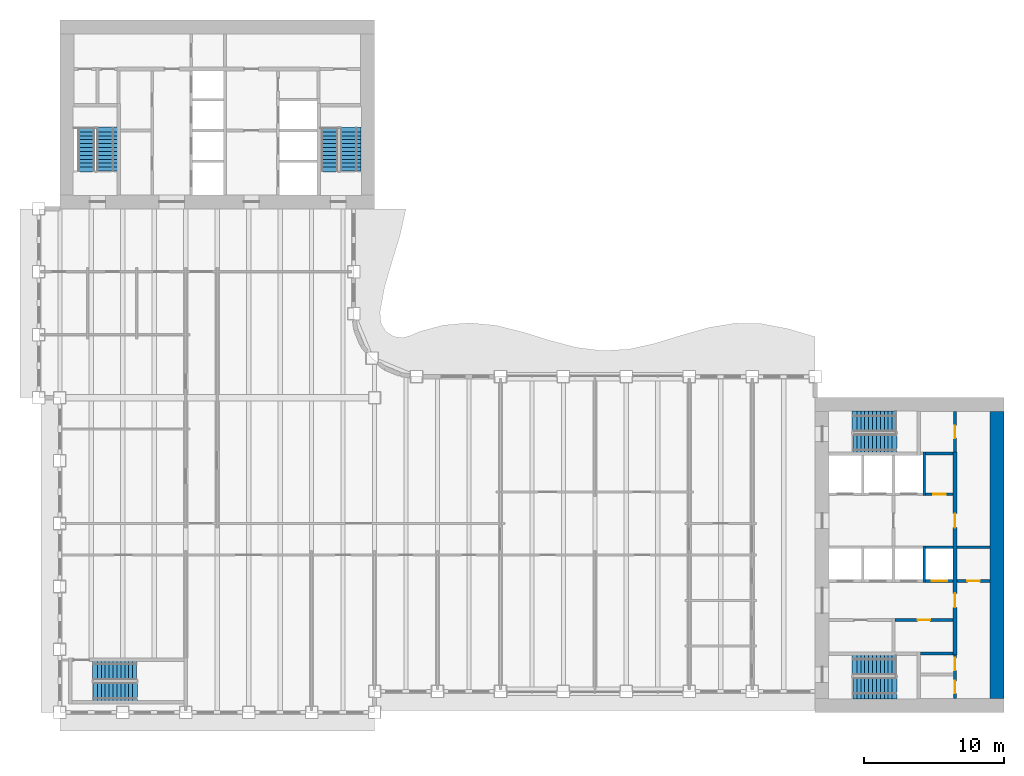
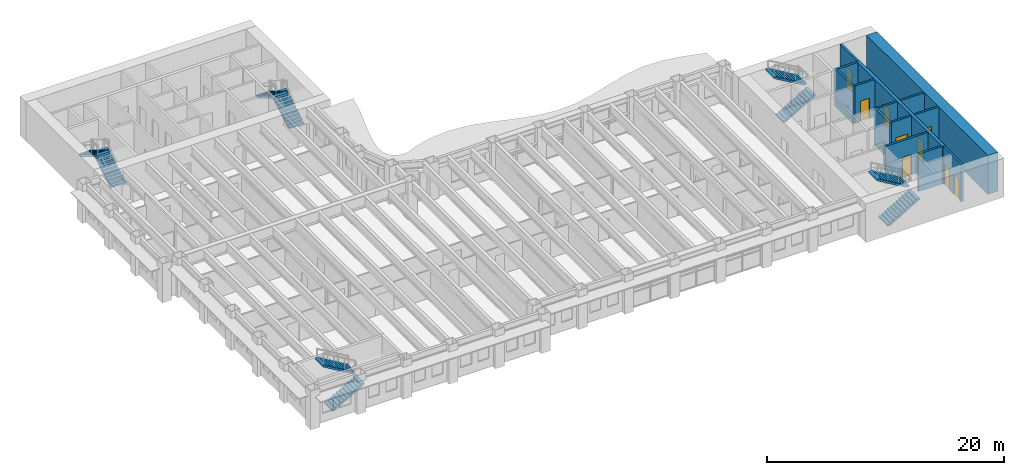
# One storey, part 11 of 17: 14 walls, 10 stair flights, 9 doors, 9 openings, 5 elements without a shape of their own.
"""IFC4 building model written with IfcOpenShell, lengths in metres."""

from ifc_helpers import new_model, si_unit, direction, frame, frame_2d, origin, place, context, subcontext, project, spatial, polyline, rectangle, outline, extrude, material, layer, layer_set, type_object, element, fill, aggregate, save


model = new_model("IFC4")

# Units and contexts
model_context = context("Model", 3, precision=1e-05, world=origin(), true_north=direction((0.0, 1.0)))
body_context = subcontext(model_context, "Body", "Model", "MODEL_VIEW")
ifc_project = project(units=[si_unit("LENGTHUNIT", "METRE"), si_unit("AREAUNIT", "SQUARE_METRE"), si_unit("VOLUMEUNIT", "CUBIC_METRE"), si_unit("PLANEANGLEUNIT", "RADIAN"), si_unit("MASSUNIT", "GRAM", prefix="KILO")], contexts=[model_context])

# Site, building, storey
site_placement = place(None, origin())
site = spatial("IfcSite", under=ifc_project, at=site_placement, CompositionType="ELEMENT")
building_placement = place(site_placement, origin())
building = spatial("IfcBuilding", under=site, at=building_placement, Name="Sennacour Bend Tower", CompositionType="ELEMENT")
storey_placement = place(building_placement, frame((0.0, 0.0, 155.0)))
storey = spatial("IfcBuildingStorey", under=building, at=storey_placement, Name="L35", CompositionType="ELEMENT", Elevation=155.0)

# Wall
ifc_material_1 = material(Name="Concrete C60/75", Category="concrete")
ifc_layer_1 = layer(ifc_material_1, 1.0, Name="Concrete C60/75", Category="concrete")
ifc_layer_set_1 = layer_set([ifc_layer_1], Name="Concrete C60/75")
wall_type_1 = type_object("IfcWallType", Name="Core wall 1000 C60/75", PredefinedType="SHEAR", material=ifc_layer_set_1)
wall_1_placement = place(storey_placement, frame((67.0, 1.0, -0.14990234375), z_axis=(0.0, 0.0, 1.0), x_axis=(0.0, 1.0, 0.0)))
element("IfcWall", 1, at=wall_1_placement, inside=storey, type_object=wall_type_1, Name="Core A wall L35 E", PredefinedType="SHEAR", context=body_context, shape_type="SweptSolid", body=[
    extrude(rectangle(XDim=20.5, YDim=1.0, at=frame_2d((10.25, 0.0))), origin(), (0.0, 0.0, 1.0), 4.0),
])

# Wall, openings, doors
ifc_material_2 = material(Name="Fire-rated plasterboard partition on steel studs", Category="steel")
ifc_layer_2 = layer(ifc_material_2, 0.199951171875, Name="Fire-rated plasterboard partition on steel studs", Category="steel")
ifc_layer_set_2 = layer_set([ifc_layer_2], Name="Fire-rated plasterboard partition on steel studs")
wall_type_2 = type_object("IfcWallType", Name="Rated partition 200", PredefinedType="PARTITIONING", material=ifc_layer_set_2)
wall_2_placement = place(storey_placement, frame((64.0, 1.0, 0.0), z_axis=(0.0, 0.0, 1.0), x_axis=(0.0, 1.0, 0.0)))
wall_2 = element("IfcWall", 2, at=wall_2_placement, inside=storey, type_object=wall_type_2, Name="P-L35-W044", PredefinedType="PARTITIONING", context=body_context, shape_type="SweptSolid", body=[
    extrude(rectangle(XDim=3.10009765625, YDim=0.199951171875, at=frame_2d((1.550048828125, 0.0))), origin(), (0.0, 0.0, 1.0), 3.85009765625),
])
opening_1_placement = place(wall_2_placement, frame((0.35009765625, 0.0, 0.0)))
opening_1 = element("IfcOpeningElement", 3, at=opening_1_placement, cuts=wall_2, Name="Opening SV", PredefinedType="OPENING", context=body_context, shape_type="SweptSolid", body=[
    extrude(rectangle(XDim=0.89990234375, YDim=2.10009765625, at=frame_2d((0.449951171875, 1.050048828125))), frame((0.0, 0.10986328125, 0.0), z_axis=(0.0, -1.0, 0.0), x_axis=(1.0, 0.0, 0.0)), (0.0, 0.0, 1.0), 0.219970703125),
])
opening_2_placement = place(wall_2_placement, frame((2.0, 0.0, 0.0)))
opening_2 = element("IfcOpeningElement", 4, at=opening_2_placement, cuts=wall_2, Name="Opening SV", PredefinedType="OPENING", context=body_context, shape_type="SweptSolid", body=[
    extrude(rectangle(XDim=0.89990234375, YDim=2.10009765625, at=frame_2d((0.449951171875, 1.050048828125))), frame((0.0, 0.10986328125, 0.0), z_axis=(0.0, -1.0, 0.0), x_axis=(1.0, 0.0, 0.0)), (0.0, 0.0, 1.0), 0.219970703125),
])
ifc_material_3 = material(Name="Painted steel", Category="steel")
door_type_1 = type_object("IfcDoorType", Name="DR-SERVICE-900", OperationType="NOTDEFINED", PredefinedType="DOOR", material=ifc_material_3)
door_1_placement = place(opening_1_placement, origin())
door_1 = element("IfcDoor", 5, at=door_1_placement, inside=storey, type_object=door_type_1, Name="Door", OperationType="SINGLE_SWING_LEFT", OverallHeight=2.10009765625, OverallWidth=0.89990234375, PredefinedType="DOOR", context=body_context, shape_type="SweptSolid", body=[
    extrude(rectangle(XDim=0.89990234375, YDim=2.10009765625, at=frame_2d((0.449951171875, 1.050048828125))), frame((0.0, 0.02490234375, 0.0), z_axis=(0.0, -1.0, 0.0), x_axis=(1.0, 0.0, 0.0)), (0.0, 0.0, 1.0), 0.050048828125),
])
fill(opening_1, door_1)
door_2_placement = place(opening_2_placement, origin())
door_2 = element("IfcDoor", 6, at=door_2_placement, inside=storey, type_object=door_type_1, Name="Door", OperationType="SINGLE_SWING_RIGHT", OverallHeight=2.10009765625, OverallWidth=0.89990234375, PredefinedType="DOOR", context=body_context, shape_type="SweptSolid", body=[
    extrude(rectangle(XDim=0.89990234375, YDim=2.10009765625, at=frame_2d((0.449951171875, 1.050048828125))), frame((0.0, 0.02490234375, 0.0), z_axis=(0.0, -1.0, 0.0), x_axis=(1.0, 0.0, 0.0)), (0.0, 0.0, 1.0), 0.050048828125),
])
fill(opening_2, door_2)

# Wall, opening, door
wall_3_placement = place(storey_placement, frame((64.0, 18.60009765625, 0.0), z_axis=(0.0, 0.0, 1.0), x_axis=(0.0, 1.0, 0.0)))
wall_3 = element("IfcWall", 7, at=wall_3_placement, inside=storey, type_object=wall_type_2, Name="P-L35-W046", PredefinedType="PARTITIONING", context=body_context, shape_type="SweptSolid", body=[
    extrude(rectangle(XDim=2.89990234375, YDim=0.199951171875, at=frame_2d((1.449951171875, 0.0))), origin(), (0.0, 0.0, 1.0), 3.85009765625),
])
opening_3_placement = place(wall_3_placement, frame((1.0, 0.0, 0.0)))
opening_3 = element("IfcOpeningElement", 8, at=opening_3_placement, cuts=wall_3, Name="Opening WD", PredefinedType="OPENING", context=body_context, shape_type="SweptSolid", body=[
    extrude(rectangle(XDim=0.89990234375, YDim=2.10009765625, at=frame_2d((0.449951171875, 1.050048828125))), frame((0.0, 0.10986328125, 0.0), z_axis=(0.0, -1.0, 0.0), x_axis=(1.0, 0.0, 0.0)), (0.0, 0.0, 1.0), 0.219970703125),
])
ifc_material_4 = material(Name="Timber", Category="wood")
door_type_2 = type_object("IfcDoorType", Name="DR-WC-900", OperationType="NOTDEFINED", PredefinedType="DOOR", material=ifc_material_4)
door_3_placement = place(opening_3_placement, origin())
door_3 = element("IfcDoor", 9, at=door_3_placement, inside=storey, type_object=door_type_2, Name="Door", OperationType="SINGLE_SWING_LEFT", OverallHeight=2.10009765625, OverallWidth=0.89990234375, PredefinedType="DOOR", context=body_context, shape_type="SweptSolid", body=[
    extrude(rectangle(XDim=0.89990234375, YDim=2.10009765625, at=frame_2d((0.449951171875, 1.050048828125))), frame((0.0, 0.02490234375, 0.0), z_axis=(0.0, -1.0, 0.0), x_axis=(1.0, 0.0, 0.0)), (0.0, 0.0, 1.0), 0.050048828125),
])
fill(opening_3, door_3)

# Wall
wall_4_placement = place(storey_placement, frame((61.52490234375, 4.199951171875, 0.0), z_axis=(0.0, 0.0, 1.0), x_axis=(1.0, 0.0, 0.0)))
element("IfcWall", 10, at=wall_4_placement, inside=storey, type_object=wall_type_2, Name="P-L35-W054", PredefinedType="PARTITIONING", context=body_context, shape_type="SweptSolid", body=[
    extrude(rectangle(XDim=2.3251953125, YDim=0.199951171875, at=frame_2d((1.16259765625, 0.0))), origin(), (0.0, 0.0, 1.0), 3.85009765625),
])

# Wall, opening, door
wall_5_placement = place(storey_placement, frame((59.699951171875, 6.60009765625, 0.0), z_axis=(0.0, 0.0, 1.0), x_axis=(1.0, 0.0, 0.0)))
wall_5 = element("IfcWall", 11, at=wall_5_placement, inside=storey, type_object=wall_type_2, Name="P-L35-W056b", PredefinedType="PARTITIONING", context=body_context, shape_type="SweptSolid", body=[
    extrude(rectangle(XDim=4.150146484375, YDim=0.199951171875, at=frame_2d((2.0751953125, 0.0))), origin(), (0.0, 0.0, 1.0), 3.85009765625),
])
opening_4_placement = place(wall_5_placement, frame((1.625, 0.0, 0.0)))
opening_4 = element("IfcOpeningElement", 12, at=opening_4_placement, cuts=wall_5, Name="Opening SV", PredefinedType="OPENING", context=body_context, shape_type="SweptSolid", body=[
    extrude(rectangle(XDim=0.89990234375, YDim=2.10009765625, at=frame_2d((0.449951171875, 1.050048828125))), frame((0.0, 0.10986328125, 0.0), z_axis=(0.0, -1.0, 0.0), x_axis=(1.0, 0.0, 0.0)), (0.0, 0.0, 1.0), 0.219970703125),
])
door_4_placement = place(opening_4_placement, origin())
door_4 = element("IfcDoor", 13, at=door_4_placement, inside=storey, type_object=door_type_1, Name="Door", OperationType="SINGLE_SWING_LEFT", OverallHeight=2.10009765625, OverallWidth=0.89990234375, PredefinedType="DOOR", context=body_context, shape_type="SweptSolid", body=[
    extrude(rectangle(XDim=0.89990234375, YDim=2.10009765625, at=frame_2d((0.449951171875, 1.050048828125))), frame((0.0, 0.02490234375, 0.0), z_axis=(0.0, -1.0, 0.0), x_axis=(1.0, 0.0, 0.0)), (0.0, 0.0, 1.0), 0.050048828125),
])
fill(opening_4, door_4)

wall_6_placement = place(storey_placement, frame((64.14990234375, 9.39990234375, 0.0), z_axis=(0.0, 0.0, 1.0), x_axis=(1.0, 0.0, 0.0)))
wall_6 = element("IfcWall", 14, at=wall_6_placement, inside=storey, type_object=wall_type_2, Name="P-L35-W059", PredefinedType="PARTITIONING", context=body_context, shape_type="SweptSolid", body=[
    extrude(rectangle(XDim=2.35009765625, YDim=0.199951171875, at=frame_2d((1.175048828125, 0.0))), origin(), (0.0, 0.0, 1.0), 3.85009765625),
])
opening_5_placement = place(wall_6_placement, frame((0.72509765625, 0.0, 0.0)))
opening_5 = element("IfcOpeningElement", 15, at=opening_5_placement, cuts=wall_6, Name="Opening SV", PredefinedType="OPENING", context=body_context, shape_type="SweptSolid", body=[
    extrude(rectangle(XDim=0.89990234375, YDim=2.10009765625, at=frame_2d((0.449951171875, 1.050048828125))), frame((0.0, 0.10986328125, 0.0), z_axis=(0.0, -1.0, 0.0), x_axis=(1.0, 0.0, 0.0)), (0.0, 0.0, 1.0), 0.219970703125),
])
door_5_placement = place(opening_5_placement, origin())
door_5 = element("IfcDoor", 16, at=door_5_placement, inside=storey, type_object=door_type_1, Name="Door", OperationType="SINGLE_SWING_LEFT", OverallHeight=2.10009765625, OverallWidth=0.89990234375, PredefinedType="DOOR", context=body_context, shape_type="SweptSolid", body=[
    extrude(rectangle(XDim=0.89990234375, YDim=2.10009765625, at=frame_2d((0.449951171875, 1.050048828125))), frame((0.0, 0.02490234375, 0.0), z_axis=(0.0, -1.0, 0.0), x_axis=(1.0, 0.0, 0.0)), (0.0, 0.0, 1.0), 0.050048828125),
])
fill(opening_5, door_5)

# Wall
wall_7_placement = place(storey_placement, frame((64.14990234375, 11.800048828125, 0.0), z_axis=(0.0, 0.0, 1.0), x_axis=(1.0, 0.0, 0.0)))
element("IfcWall", 17, at=wall_7_placement, inside=storey, type_object=wall_type_2, Name="P-L35-W062", PredefinedType="PARTITIONING", context=body_context, shape_type="SweptSolid", body=[
    extrude(rectangle(XDim=2.35009765625, YDim=0.199951171875, at=frame_2d((1.175048828125, 0.0))), origin(), (0.0, 0.0, 1.0), 3.85009765625),
])

# Wall, opening, door
wall_8_placement = place(storey_placement, frame((61.89990234375, 15.60009765625, 0.0), z_axis=(0.0, 0.0, 1.0), x_axis=(1.0, 0.0, 0.0)))
wall_8 = element("IfcWall", 18, at=wall_8_placement, inside=storey, type_object=wall_type_2, Name="P-L35-W066", PredefinedType="PARTITIONING", context=body_context, shape_type="SweptSolid", body=[
    extrude(rectangle(XDim=1.9501953125, YDim=0.199951171875, at=frame_2d((0.97509765625, 0.0))), origin(), (0.0, 0.0, 1.0), 3.85009765625),
])
opening_6_placement = place(wall_8_placement, frame((0.525146484375, 0.0, 0.0)))
opening_6 = element("IfcOpeningElement", 19, at=opening_6_placement, cuts=wall_8, Name="Opening SV", PredefinedType="OPENING", context=body_context, shape_type="SweptSolid", body=[
    extrude(rectangle(XDim=0.89990234375, YDim=2.10009765625, at=frame_2d((0.449951171875, 1.050048828125))), frame((0.0, 0.10986328125, 0.0), z_axis=(0.0, -1.0, 0.0), x_axis=(1.0, 0.0, 0.0)), (0.0, 0.0, 1.0), 0.219970703125),
])
door_6_placement = place(opening_6_placement, origin())
door_6 = element("IfcDoor", 20, at=door_6_placement, inside=storey, type_object=door_type_1, Name="Door", OperationType="SINGLE_SWING_LEFT", OverallHeight=2.10009765625, OverallWidth=0.89990234375, PredefinedType="DOOR", context=body_context, shape_type="SweptSolid", body=[
    extrude(rectangle(XDim=0.89990234375, YDim=2.10009765625, at=frame_2d((0.449951171875, 1.050048828125))), frame((0.0, 0.02490234375, 0.0), z_axis=(0.0, -1.0, 0.0), x_axis=(1.0, 0.0, 0.0)), (0.0, 0.0, 1.0), 0.050048828125),
])
fill(opening_6, door_6)

# Walls
wall_9_placement = place(storey_placement, frame((61.89990234375, 18.5, 0.0), z_axis=(0.0, 0.0, 1.0), x_axis=(1.0, 0.0, 0.0)))
element("IfcWall", 21, at=wall_9_placement, inside=storey, type_object=wall_type_2, Name="P-L35-W070", PredefinedType="PARTITIONING", context=body_context, shape_type="SweptSolid", body=[
    extrude(rectangle(XDim=1.9501953125, YDim=0.199951171875, at=frame_2d((0.97509765625, 0.0))), origin(), (0.0, 0.0, 1.0), 3.85009765625),
])
ifc_material_5 = material(Name="Concrete C50/60", Category="concrete")
ifc_layer_3 = layer(ifc_material_5, 0.199951171875, Name="Concrete C50/60", Category="concrete")
ifc_layer_set_3 = layer_set([ifc_layer_3], Name="Concrete C50/60")
wall_type_3 = type_object("IfcWallType", Name="Shaft wall 200", PredefinedType="SOLIDWALL", material=ifc_layer_set_3)
wall_10_placement = place(storey_placement, frame((61.800048828125, 9.300048828125, 0.0), z_axis=(0.0, 0.0, 1.0), x_axis=(0.0, 1.0, 0.0)))
element("IfcWall", 22, at=wall_10_placement, inside=storey, type_object=wall_type_3, Name="P-L35-W042", PredefinedType="SOLIDWALL", context=body_context, shape_type="SweptSolid", body=[
    extrude(rectangle(XDim=2.599853515625, YDim=0.199951171875, at=frame_2d((1.2998046875, 0.0))), origin(), (0.0, 0.0, 1.0), 3.85009765625),
])
wall_11_placement = place(storey_placement, frame((61.800048828125, 15.5, 0.0), z_axis=(0.0, 0.0, 1.0), x_axis=(0.0, 1.0, 0.0)))
element("IfcWall", 23, at=wall_11_placement, inside=storey, type_object=wall_type_3, Name="P-L35-W043", PredefinedType="SOLIDWALL", context=body_context, shape_type="SweptSolid", body=[
    extrude(rectangle(XDim=3.10009765625, YDim=0.199951171875, at=frame_2d((1.550048828125, 0.0))), origin(), (0.0, 0.0, 1.0), 3.85009765625),
])

# Wall, opening, door
wall_12_placement = place(storey_placement, frame((61.89990234375, 9.39990234375, 0.0), z_axis=(0.0, 0.0, 1.0), x_axis=(1.0, 0.0, 0.0)))
wall_12 = element("IfcWall", 24, at=wall_12_placement, inside=storey, type_object=wall_type_3, Name="P-L35-W058d", PredefinedType="SOLIDWALL", context=body_context, shape_type="SweptSolid", body=[
    extrude(rectangle(XDim=1.9501953125, YDim=0.199951171875, at=frame_2d((0.97509765625, 0.0))), origin(), (0.0, 0.0, 1.0), 3.85009765625),
])
opening_7_placement = place(wall_12_placement, frame((0.425048828125, 0.0, 0.011962890625)))
opening_7 = element("IfcOpeningElement", 25, at=opening_7_placement, cuts=wall_12, Name="Opening LD", PredefinedType="OPENING", context=body_context, shape_type="SweptSolid", body=[
    extrude(rectangle(XDim=1.10009765625, YDim=2.10009765625, at=frame_2d((0.550048828125, 1.050048828125))), frame((0.0, 0.10986328125, 0.0), z_axis=(0.0, -1.0, 0.0), x_axis=(1.0, 0.0, 0.0)), (0.0, 0.0, 1.0), 0.219970703125),
])
ifc_material_6 = material(Name="Stainless steel", Category="steel")
door_type_3 = type_object("IfcDoorType", Name="DR-LANDING-1100", OperationType="NOTDEFINED", PredefinedType="DOOR", material=ifc_material_6)
door_7_placement = place(opening_7_placement, origin())
door_7 = element("IfcDoor", 26, at=door_7_placement, inside=storey, type_object=door_type_3, Name="Lift landing door HA4", OperationType="SLIDING_TO_RIGHT", OverallHeight=2.10009765625, OverallWidth=1.10009765625, PredefinedType="DOOR", context=body_context, shape_type="SweptSolid", body=[
    extrude(rectangle(XDim=1.10009765625, YDim=2.10009765625, at=frame_2d((0.550048828125, 1.050048828125))), frame((0.0, 0.02490234375, 0.0), z_axis=(0.0, -1.0, 0.0), x_axis=(1.0, 0.0, 0.0)), (0.0, 0.0, 1.0), 0.050048828125),
])
fill(opening_7, door_7)

# Wall
wall_13_placement = place(storey_placement, frame((61.89990234375, 11.800048828125, 0.0), z_axis=(0.0, 0.0, 1.0), x_axis=(1.0, 0.0, 0.0)))
element("IfcWall", 27, at=wall_13_placement, inside=storey, type_object=wall_type_3, Name="P-L35-W061d", PredefinedType="SOLIDWALL", context=body_context, shape_type="SweptSolid", body=[
    extrude(rectangle(XDim=1.9501953125, YDim=0.199951171875, at=frame_2d((0.97509765625, 0.0))), origin(), (0.0, 0.0, 1.0), 3.85009765625),
])

# Wall, openings, doors
ifc_layer_4 = layer(ifc_material_1, 0.300048828125, Name="Concrete C60/75", Category="concrete")
ifc_layer_set_4 = layer_set([ifc_layer_4], Name="Concrete C60/75")
wall_type_4 = type_object("IfcWallType", Name="Spine wall 300", PredefinedType="SHEAR", material=ifc_layer_set_4)
wall_14_placement = place(storey_placement, frame((64.0, 4.10009765625, 0.0), z_axis=(0.0, 0.0, 1.0), x_axis=(0.0, 1.0, 0.0)))
wall_14 = element("IfcWall", 28, at=wall_14_placement, inside=storey, type_object=wall_type_4, Name="P-L35-W045", PredefinedType="SHEAR", context=body_context, shape_type="SweptSolid", body=[
    extrude(rectangle(XDim=14.5, YDim=0.300048828125, at=frame_2d((7.25, 0.0))), origin(), (0.0, 0.0, 1.0), 3.85009765625),
])
opening_8_placement = place(wall_14_placement, frame((3.39990234375, 0.0, 0.0)))
opening_8 = element("IfcOpeningElement", 29, at=opening_8_placement, cuts=wall_14, Name="Opening CD2", PredefinedType="OPENING", context=body_context, shape_type="SweptSolid", body=[
    extrude(rectangle(XDim=1.0, YDim=2.10009765625, at=frame_2d((0.5, 1.050048828125))), frame((0.0, 0.16015625, 0.0), z_axis=(0.0, -1.0, 0.0), x_axis=(1.0, 0.0, 0.0)), (0.0, 0.0, 1.0), 0.320068359375),
])
opening_9_placement = place(wall_14_placement, frame((9.099853515625, 0.0, 0.0)))
opening_9 = element("IfcOpeningElement", 30, at=opening_9_placement, cuts=wall_14, Name="Opening CD2", PredefinedType="OPENING", context=body_context, shape_type="SweptSolid", body=[
    extrude(rectangle(XDim=1.0, YDim=2.10009765625, at=frame_2d((0.5, 1.050048828125))), frame((0.0, 0.16015625, 0.0), z_axis=(0.0, -1.0, 0.0), x_axis=(1.0, 0.0, 0.0)), (0.0, 0.0, 1.0), 0.320068359375),
])
door_type_4 = type_object("IfcDoorType", Name="DR-LOBBY-1000", OperationType="NOTDEFINED", PredefinedType="DOOR", material=ifc_material_3)
door_8_placement = place(opening_8_placement, origin())
door_8 = element("IfcDoor", 31, at=door_8_placement, inside=storey, type_object=door_type_4, Name="Door", OperationType="SINGLE_SWING_LEFT", OverallHeight=2.10009765625, OverallWidth=1.0, PredefinedType="DOOR", context=body_context, shape_type="SweptSolid", body=[
    extrude(rectangle(XDim=1.0, YDim=2.10009765625, at=frame_2d((0.5, 1.050048828125))), frame((0.0, 0.02490234375, 0.0), z_axis=(0.0, -1.0, 0.0), x_axis=(1.0, 0.0, 0.0)), (0.0, 0.0, 1.0), 0.050048828125),
])
fill(opening_8, door_8)
door_9_placement = place(opening_9_placement, origin())
door_9 = element("IfcDoor", 32, at=door_9_placement, inside=storey, type_object=door_type_4, Name="Door", OperationType="SINGLE_SWING_RIGHT", OverallHeight=2.10009765625, OverallWidth=1.0, PredefinedType="DOOR", context=body_context, shape_type="SweptSolid", body=[
    extrude(rectangle(XDim=1.0, YDim=2.10009765625, at=frame_2d((0.5, 1.050048828125))), frame((0.0, 0.02490234375, 0.0), z_axis=(0.0, -1.0, 0.0), x_axis=(1.0, 0.0, 0.0)), (0.0, 0.0, 1.0), 0.050048828125),
])
fill(opening_9, door_9)

# Stair, stair flights
ifc_material_7 = material(Name="Concrete C40/50", Category="concrete")
stair_type = type_object("IfcStairType", Name="ST-DOGLEG", PredefinedType="HALF_TURN_STAIR", material=ifc_material_7)
stair_1_placement = place(storey_placement, origin())
stair_1 = element("IfcStair", 33, at=stair_1_placement, inside=storey, type_object=stair_type, Name="L35 Exit stair A1", PredefinedType="HALF_TURN_STAIR")
stair_flight_type = type_object("IfcStairFlightType", Name="SFL-RC", PredefinedType="STRAIGHT", material=ifc_material_7)
stair_flight_1_placement = place(storey_placement, frame((56.699951171875, 1.735107421875, 0.0), z_axis=(0.0, 0.0, 1.0), x_axis=(1.0, 0.0, 0.0)))
stair_flight_1 = element("IfcStairFlight", 34, at=stair_flight_1_placement, type_object=stair_flight_type, Name="SA1 flight 1", NumberOfRisers=12, NumberOfTreads=11, PredefinedType="STRAIGHT", RiserHeight=0.166666667, TreadLength=0.28, context=body_context, shape_type="SweptSolid", body=[
    extrude(outline(polyline([(0.0, 0.0), (0.0, 0.166748046875), (0.280029296875, 0.166748046875), (0.280029296875, 0.333251953125), (0.56005859375, 0.333251953125), (0.56005859375, 0.5), (0.840087890625, 0.5), (0.840087890625, 0.666748046875), (1.1201171875, 0.666748046875), (1.1201171875, 0.833251953125), (1.39990234375, 0.833251953125), (1.39990234375, 1.0), (1.679931640625, 1.0), (1.679931640625, 1.166748046875), (1.9599609375, 1.166748046875), (1.9599609375, 1.333251953125), (2.239990234375, 1.333251953125), (2.239990234375, 1.5), (2.52001953125, 1.5), (2.52001953125, 1.666748046875), (2.800048828125, 1.666748046875), (2.800048828125, 1.833251953125), (3.080078125, 1.833251953125), (3.139892578125, 1.833251953125), (3.139892578125, 1.658935546875), (3.080078125, 1.658935546875), (0.29296875, 0.0), (0.0, 0.0)])), frame((0.0, 0.76513671875, 0.0), z_axis=(0.0, -1.0, 0.0), x_axis=(1.0, 0.0, 0.0)), (0.0, 0.0, 1.0), 1.530029296875),
])
stair_flight_2_placement = place(storey_placement, frame((59.780029296875, 3.37744140625, 2.0), z_axis=(0.0, 0.0, 1.0), x_axis=(-1.0, 0.0, 0.0)))
stair_flight_2 = element("IfcStairFlight", 35, at=stair_flight_2_placement, type_object=stair_flight_type, Name="SA1 flight 2", NumberOfRisers=12, NumberOfTreads=11, PredefinedType="STRAIGHT", RiserHeight=0.166666667, TreadLength=0.28, context=body_context, shape_type="SweptSolid", body=[
    extrude(outline(polyline([(0.0, 0.0), (0.0, 0.166748046875), (0.280029296875, 0.166748046875), (0.280029296875, 0.333251953125), (0.56005859375, 0.333251953125), (0.56005859375, 0.5), (0.840087890625, 0.5), (0.840087890625, 0.666748046875), (1.1201171875, 0.666748046875), (1.1201171875, 0.833251953125), (1.39990234375, 0.833251953125), (1.39990234375, 1.0), (1.679931640625, 1.0), (1.679931640625, 1.166748046875), (1.9599609375, 1.166748046875), (1.9599609375, 1.333251953125), (2.239990234375, 1.333251953125), (2.239990234375, 1.5), (2.52001953125, 1.5), (2.52001953125, 1.666748046875), (2.800048828125, 1.666748046875), (2.800048828125, 1.833251953125), (3.080078125, 1.833251953125), (3.139892578125, 1.833251953125), (3.139892578125, 1.658935546875), (3.080078125, 1.658935546875), (0.29296875, 0.0), (0.0, 0.0)])), frame((0.0, 0.7275390625, 0.0), z_axis=(0.0, -1.0, 0.0), x_axis=(1.0, 0.0, 0.0)), (0.0, 0.0, 1.0), 1.455078125),
])
aggregate(stair_1, [stair_flight_1, stair_flight_2])

stair_2_placement = place(storey_placement, origin())
stair_2 = element("IfcStair", 36, at=stair_2_placement, inside=storey, type_object=stair_type, Name="L35 Exit stair A2", PredefinedType="HALF_TURN_STAIR")
stair_flight_3_placement = place(storey_placement, frame((56.699951171875, 19.24755859375, 0.0), z_axis=(0.0, 0.0, 1.0), x_axis=(1.0, 0.0, 0.0)))
stair_flight_3 = element("IfcStairFlight", 37, at=stair_flight_3_placement, type_object=stair_flight_type, Name="SA2 flight 1", NumberOfRisers=12, NumberOfTreads=11, PredefinedType="STRAIGHT", RiserHeight=0.166666667, TreadLength=0.28, context=body_context, shape_type="SweptSolid", body=[
    extrude(outline(polyline([(0.0, 0.0), (0.0, 0.166748046875), (0.280029296875, 0.166748046875), (0.280029296875, 0.333251953125), (0.56005859375, 0.333251953125), (0.56005859375, 0.5), (0.840087890625, 0.5), (0.840087890625, 0.666748046875), (1.1201171875, 0.666748046875), (1.1201171875, 0.833251953125), (1.39990234375, 0.833251953125), (1.39990234375, 1.0), (1.679931640625, 1.0), (1.679931640625, 1.166748046875), (1.9599609375, 1.166748046875), (1.9599609375, 1.333251953125), (2.239990234375, 1.333251953125), (2.239990234375, 1.5), (2.52001953125, 1.5), (2.52001953125, 1.666748046875), (2.800048828125, 1.666748046875), (2.800048828125, 1.833251953125), (3.080078125, 1.833251953125), (3.139892578125, 1.833251953125), (3.139892578125, 1.658935546875), (3.080078125, 1.658935546875), (0.29296875, 0.0), (0.0, 0.0)])), frame((0.0, 0.65234375, 0.0), z_axis=(0.0, -1.0, 0.0), x_axis=(1.0, 0.0, 0.0)), (0.0, 0.0, 1.0), 1.304931640625),
])
stair_flight_4_placement = place(storey_placement, frame((59.780029296875, 20.7900390625, 2.0), z_axis=(0.0, 0.0, 1.0), x_axis=(-1.0, 0.0, 0.0)))
stair_flight_4 = element("IfcStairFlight", 38, at=stair_flight_4_placement, type_object=stair_flight_type, Name="SA2 flight 2", NumberOfRisers=12, NumberOfTreads=11, PredefinedType="STRAIGHT", RiserHeight=0.166666667, TreadLength=0.28, context=body_context, shape_type="SweptSolid", body=[
    extrude(outline(polyline([(0.0, 0.0), (0.0, 0.166748046875), (0.280029296875, 0.166748046875), (0.280029296875, 0.333251953125), (0.56005859375, 0.333251953125), (0.56005859375, 0.5), (0.840087890625, 0.5), (0.840087890625, 0.666748046875), (1.1201171875, 0.666748046875), (1.1201171875, 0.833251953125), (1.39990234375, 0.833251953125), (1.39990234375, 1.0), (1.679931640625, 1.0), (1.679931640625, 1.166748046875), (1.9599609375, 1.166748046875), (1.9599609375, 1.333251953125), (2.239990234375, 1.333251953125), (2.239990234375, 1.5), (2.52001953125, 1.5), (2.52001953125, 1.666748046875), (2.800048828125, 1.666748046875), (2.800048828125, 1.833251953125), (3.080078125, 1.833251953125), (3.139892578125, 1.833251953125), (3.139892578125, 1.658935546875), (3.080078125, 1.658935546875), (0.29296875, 0.0), (0.0, 0.0)])), frame((0.0, 0.739990234375, 0.0), z_axis=(0.0, -1.0, 0.0), x_axis=(1.0, 0.0, 0.0)), (0.0, 0.0, 1.0), 1.47998046875),
])
aggregate(stair_2, [stair_flight_3, stair_flight_4])

stair_3_placement = place(storey_placement, origin())
stair_3 = element("IfcStair", 39, at=stair_3_placement, inside=storey, type_object=stair_type, Name="L35 Exit stair B1", PredefinedType="HALF_TURN_STAIR")
stair_flight_5_placement = place(storey_placement, frame((3.37744140625, 38.699951171875, 0.0), z_axis=(0.0, 0.0, 1.0), x_axis=(0.0, 1.0, 0.0)))
stair_flight_5 = element("IfcStairFlight", 40, at=stair_flight_5_placement, type_object=stair_flight_type, Name="SB1 flight 1", NumberOfRisers=12, NumberOfTreads=11, PredefinedType="STRAIGHT", RiserHeight=0.166666667, TreadLength=0.28, context=body_context, shape_type="SweptSolid", body=[
    extrude(outline(polyline([(0.0, 0.0), (0.0, 0.166748046875), (0.280029296875, 0.166748046875), (0.280029296875, 0.333251953125), (0.56005859375, 0.333251953125), (0.56005859375, 0.5), (0.840087890625, 0.5), (0.840087890625, 0.666748046875), (1.1201171875, 0.666748046875), (1.1201171875, 0.833251953125), (1.39990234375, 0.833251953125), (1.39990234375, 1.0), (1.679931640625, 1.0), (1.679931640625, 1.166748046875), (1.9599609375, 1.166748046875), (1.9599609375, 1.333251953125), (2.239990234375, 1.333251953125), (2.239990234375, 1.5), (2.52001953125, 1.5), (2.52001953125, 1.666748046875), (2.800048828125, 1.666748046875), (2.800048828125, 1.833251953125), (3.080078125, 1.833251953125), (3.139892578125, 1.833251953125), (3.139892578125, 1.658935546875), (3.080078125, 1.658935546875), (0.29296875, 0.0), (0.0, 0.0)])), frame((0.0, 0.7275390625, 0.0), z_axis=(0.0, -1.0, 0.0), x_axis=(1.0, 0.0, 0.0)), (0.0, 0.0, 1.0), 1.455078125),
])
stair_flight_6_placement = place(storey_placement, frame((1.89990234375, 41.780029296875, 2.0), z_axis=(0.0, 0.0, 1.0), x_axis=(0.0, -1.0, 0.0)))
stair_flight_6 = element("IfcStairFlight", 41, at=stair_flight_6_placement, type_object=stair_flight_type, Name="SB1 flight 2", NumberOfRisers=12, NumberOfTreads=11, PredefinedType="STRAIGHT", RiserHeight=0.166666667, TreadLength=0.28, context=body_context, shape_type="SweptSolid", body=[
    extrude(outline(polyline([(0.0, 0.0), (0.0, 0.166748046875), (0.280029296875, 0.166748046875), (0.280029296875, 0.333251953125), (0.56005859375, 0.333251953125), (0.56005859375, 0.5), (0.840087890625, 0.5), (0.840087890625, 0.666748046875), (1.1201171875, 0.666748046875), (1.1201171875, 0.833251953125), (1.39990234375, 0.833251953125), (1.39990234375, 1.0), (1.679931640625, 1.0), (1.679931640625, 1.166748046875), (1.9599609375, 1.166748046875), (1.9599609375, 1.333251953125), (2.239990234375, 1.333251953125), (2.239990234375, 1.5), (2.52001953125, 1.5), (2.52001953125, 1.666748046875), (2.800048828125, 1.666748046875), (2.800048828125, 1.833251953125), (3.080078125, 1.833251953125), (3.139892578125, 1.833251953125), (3.139892578125, 1.658935546875), (3.080078125, 1.658935546875), (0.29296875, 0.0), (0.0, 0.0)])), frame((0.0, 0.60009765625, 0.0), z_axis=(0.0, -1.0, 0.0), x_axis=(1.0, 0.0, 0.0)), (0.0, 0.0, 1.0), 1.199951171875),
])
aggregate(stair_3, [stair_flight_5, stair_flight_6])

stair_4_placement = place(storey_placement, origin())
stair_4 = element("IfcStair", 42, at=stair_4_placement, inside=storey, type_object=stair_type, Name="L35 Exit stair B2", PredefinedType="HALF_TURN_STAIR")
stair_flight_7_placement = place(storey_placement, frame((20.7900390625, 38.699951171875, 0.0), z_axis=(0.0, 0.0, 1.0), x_axis=(0.0, 1.0, 0.0)))
stair_flight_7 = element("IfcStairFlight", 43, at=stair_flight_7_placement, type_object=stair_flight_type, Name="SB2 flight 1", NumberOfRisers=12, NumberOfTreads=11, PredefinedType="STRAIGHT", RiserHeight=0.166666667, TreadLength=0.28, context=body_context, shape_type="SweptSolid", body=[
    extrude(outline(polyline([(0.0, 0.0), (0.0, 0.166748046875), (0.280029296875, 0.166748046875), (0.280029296875, 0.333251953125), (0.56005859375, 0.333251953125), (0.56005859375, 0.5), (0.840087890625, 0.5), (0.840087890625, 0.666748046875), (1.1201171875, 0.666748046875), (1.1201171875, 0.833251953125), (1.39990234375, 0.833251953125), (1.39990234375, 1.0), (1.679931640625, 1.0), (1.679931640625, 1.166748046875), (1.9599609375, 1.166748046875), (1.9599609375, 1.333251953125), (2.239990234375, 1.333251953125), (2.239990234375, 1.5), (2.52001953125, 1.5), (2.52001953125, 1.666748046875), (2.800048828125, 1.666748046875), (2.800048828125, 1.833251953125), (3.080078125, 1.833251953125), (3.139892578125, 1.833251953125), (3.139892578125, 1.658935546875), (3.080078125, 1.658935546875), (0.29296875, 0.0), (0.0, 0.0)])), frame((0.0, 0.739990234375, 0.0), z_axis=(0.0, -1.0, 0.0), x_axis=(1.0, 0.0, 0.0)), (0.0, 0.0, 1.0), 1.47998046875),
])
stair_flight_8_placement = place(storey_placement, frame((19.24755859375, 41.780029296875, 2.0), z_axis=(0.0, 0.0, 1.0), x_axis=(0.0, -1.0, 0.0)))
stair_flight_8 = element("IfcStairFlight", 44, at=stair_flight_8_placement, type_object=stair_flight_type, Name="SB2 flight 2", NumberOfRisers=12, NumberOfTreads=11, PredefinedType="STRAIGHT", RiserHeight=0.166666667, TreadLength=0.28, context=body_context, shape_type="SweptSolid", body=[
    extrude(outline(polyline([(0.0, 0.0), (0.0, 0.166748046875), (0.280029296875, 0.166748046875), (0.280029296875, 0.333251953125), (0.56005859375, 0.333251953125), (0.56005859375, 0.5), (0.840087890625, 0.5), (0.840087890625, 0.666748046875), (1.1201171875, 0.666748046875), (1.1201171875, 0.833251953125), (1.39990234375, 0.833251953125), (1.39990234375, 1.0), (1.679931640625, 1.0), (1.679931640625, 1.166748046875), (1.9599609375, 1.166748046875), (1.9599609375, 1.333251953125), (2.239990234375, 1.333251953125), (2.239990234375, 1.5), (2.52001953125, 1.5), (2.52001953125, 1.666748046875), (2.800048828125, 1.666748046875), (2.800048828125, 1.833251953125), (3.080078125, 1.833251953125), (3.139892578125, 1.833251953125), (3.139892578125, 1.658935546875), (3.080078125, 1.658935546875), (0.29296875, 0.0), (0.0, 0.0)])), frame((0.0, 0.65234375, 0.0), z_axis=(0.0, -1.0, 0.0), x_axis=(1.0, 0.0, 0.0)), (0.0, 0.0, 1.0), 1.304931640625),
])
aggregate(stair_4, [stair_flight_7, stair_flight_8])

stair_5_placement = place(storey_placement, origin())
stair_5 = element("IfcStair", 45, at=stair_5_placement, inside=storey, type_object=stair_type, Name="L35 Exit stair K1", PredefinedType="HALF_TURN_STAIR")
stair_flight_9_placement = place(storey_placement, frame((2.39990234375, 1.485107421875, 0.0), z_axis=(0.0, 0.0, 1.0), x_axis=(1.0, 0.0, 0.0)))
stair_flight_9 = element("IfcStairFlight", 46, at=stair_flight_9_placement, type_object=stair_flight_type, Name="SK1 flight 1", NumberOfRisers=12, NumberOfTreads=11, PredefinedType="STRAIGHT", RiserHeight=0.166666667, TreadLength=0.28, context=body_context, shape_type="SweptSolid", body=[
    extrude(outline(polyline([(0.0, 0.0), (0.0, 0.166748046875), (0.280029296875, 0.166748046875), (0.280029296875, 0.333251953125), (0.56005859375, 0.333251953125), (0.56005859375, 0.5), (0.840087890625, 0.5), (0.840087890625, 0.666748046875), (1.1201171875, 0.666748046875), (1.1201171875, 0.833251953125), (1.39990234375, 0.833251953125), (1.39990234375, 1.0), (1.679931640625, 1.0), (1.679931640625, 1.166748046875), (1.9599609375, 1.166748046875), (1.9599609375, 1.333251953125), (2.239990234375, 1.333251953125), (2.239990234375, 1.5), (2.52001953125, 1.5), (2.52001953125, 1.666748046875), (2.800048828125, 1.666748046875), (2.800048828125, 1.833251953125), (3.080078125, 1.833251953125), (3.139892578125, 1.833251953125), (3.139892578125, 1.658935546875), (3.080078125, 1.658935546875), (0.29296875, 0.0), (0.0, 0.0)])), frame((0.0, 0.6650390625, 0.0), z_axis=(0.0, -1.0, 0.0), x_axis=(1.0, 0.0, 0.0)), (0.0, 0.0, 1.0), 1.330078125),
])
stair_flight_10_placement = place(storey_placement, frame((5.47998046875, 2.9775390625, 2.0), z_axis=(0.0, 0.0, 1.0), x_axis=(-1.0, 0.0, 0.0)))
stair_flight_10 = element("IfcStairFlight", 47, at=stair_flight_10_placement, type_object=stair_flight_type, Name="SK1 flight 2", NumberOfRisers=12, NumberOfTreads=11, PredefinedType="STRAIGHT", RiserHeight=0.166666667, TreadLength=0.28, context=body_context, shape_type="SweptSolid", body=[
    extrude(outline(polyline([(0.0, 0.0), (0.0, 0.166748046875), (0.280029296875, 0.166748046875), (0.280029296875, 0.333251953125), (0.56005859375, 0.333251953125), (0.56005859375, 0.5), (0.840087890625, 0.5), (0.840087890625, 0.666748046875), (1.1201171875, 0.666748046875), (1.1201171875, 0.833251953125), (1.39990234375, 0.833251953125), (1.39990234375, 1.0), (1.679931640625, 1.0), (1.679931640625, 1.166748046875), (1.9599609375, 1.166748046875), (1.9599609375, 1.333251953125), (2.239990234375, 1.333251953125), (2.239990234375, 1.5), (2.52001953125, 1.5), (2.52001953125, 1.666748046875), (2.800048828125, 1.666748046875), (2.800048828125, 1.833251953125), (3.080078125, 1.833251953125), (3.139892578125, 1.833251953125), (3.139892578125, 1.658935546875), (3.080078125, 1.658935546875), (0.29296875, 0.0), (0.0, 0.0)])), frame((0.0, 0.677490234375, 0.0), z_axis=(0.0, -1.0, 0.0), x_axis=(1.0, 0.0, 0.0)), (0.0, 0.0, 1.0), 1.35498046875),
])
aggregate(stair_5, [stair_flight_9, stair_flight_10])

save(model, "model.ifc")
